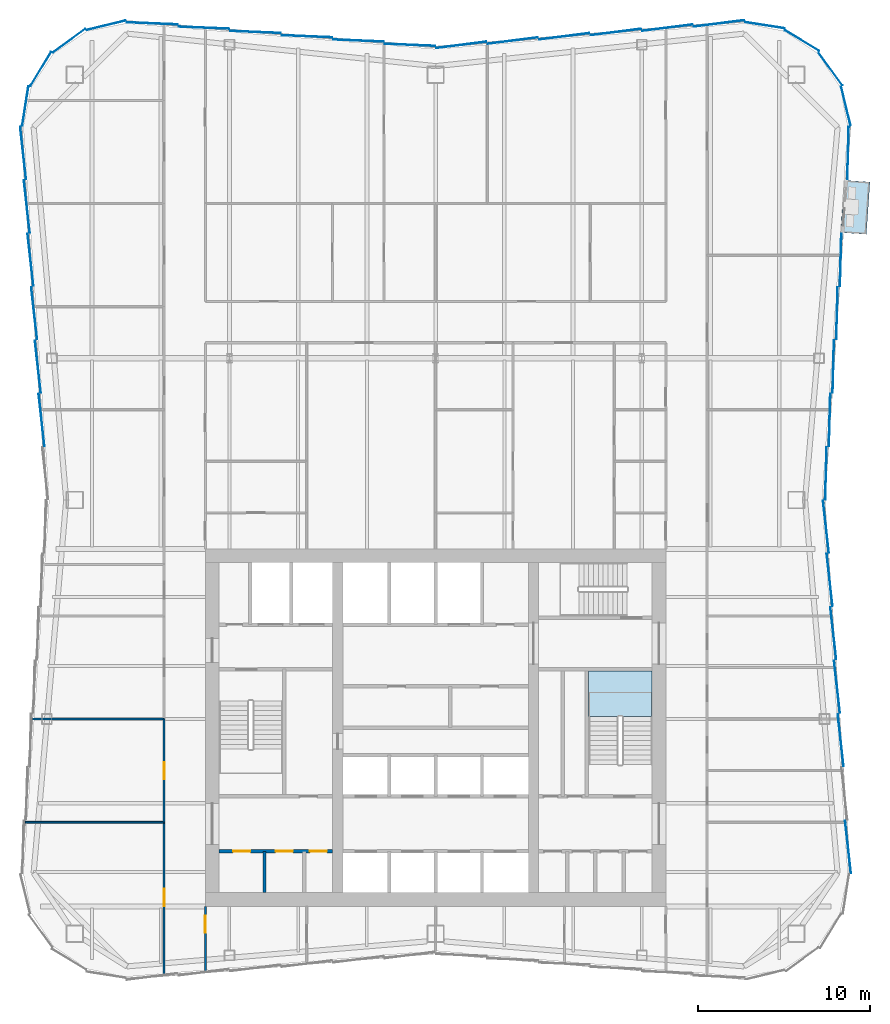
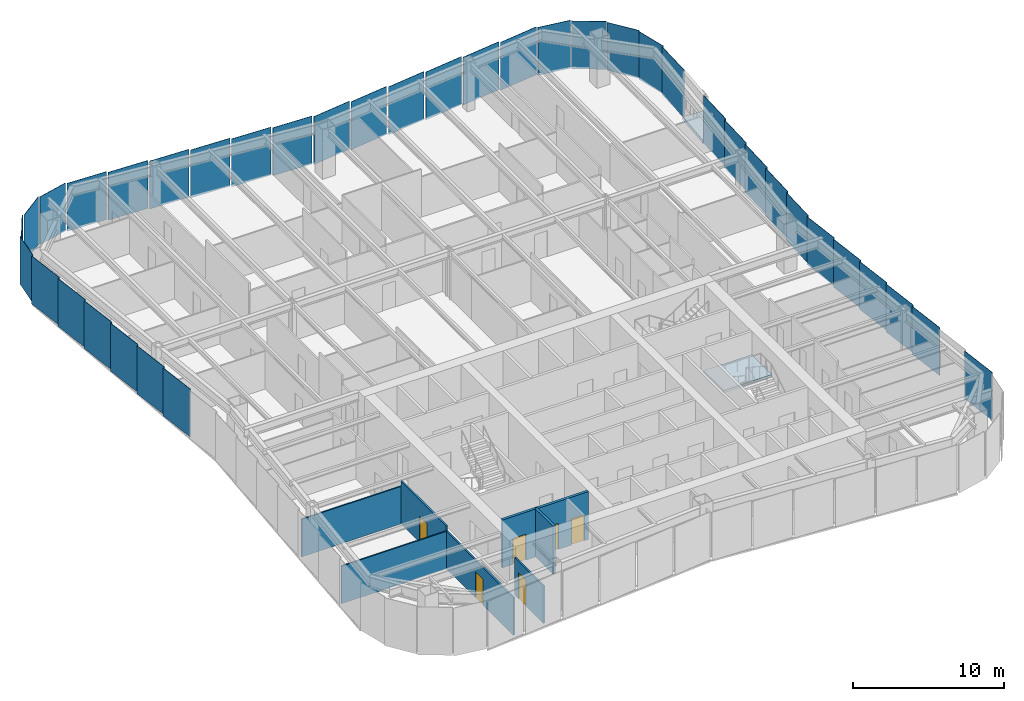
# One storey, part 5 of 12: 38 plates, 7 walls, 6 doors, 2 slabs, 6 openings, 6 elements without a shape of their own.
"""IFC4 building model written with IfcOpenShell, lengths in metres."""

from ifc_helpers import new_model, si_unit, direction, frame, frame_2d, origin, origin_2d, place, context, subcontext, project, spatial, polyline, rectangle, outline, extrude, material, layer, layer_set, type_object, element, fill, aggregate, save


model = new_model("IFC4")

# Units and contexts
model_context = context("Model", 3, precision=1e-05, world=origin(), true_north=direction((0.0, 1.0)))
body_context = subcontext(model_context, "Body", "Model", "MODEL_VIEW")
ifc_project = project(units=[si_unit("LENGTHUNIT", "METRE"), si_unit("AREAUNIT", "SQUARE_METRE"), si_unit("VOLUMEUNIT", "CUBIC_METRE"), si_unit("PLANEANGLEUNIT", "RADIAN"), si_unit("MASSUNIT", "GRAM", prefix="KILO")], contexts=[model_context])

# Site, building, storey
site_placement = place(None, origin())
site = spatial("IfcSite", under=ifc_project, at=site_placement, CompositionType="ELEMENT")
building_placement = place(site_placement, origin())
building = spatial("IfcBuilding", under=site, at=building_placement, Name="Verdant Reach Tower", CompositionType="ELEMENT")
storey_placement = place(building_placement, frame((0.0, 0.0, 266.0)))
storey = spatial("IfcBuildingStorey", under=building, at=storey_placement, Name="L61", CompositionType="ELEMENT", Elevation=266.0)

# Stair, slab
ifc_material_1 = material(Name="Concrete C40/50", Category="concrete")
stair_type = type_object("IfcStairType", Name="CO-STAIR", PredefinedType="HALF_TURN_STAIR", material=ifc_material_1)
stair_placement = place(storey_placement, origin())
stair = element("IfcStair", 1, at=stair_placement, inside=storey, type_object=stair_type, Name="L61 Exit stair 2", PredefinedType="HALF_TURN_STAIR")
ifc_layer_1 = layer(ifc_material_1, 0.199951171875)
ifc_layer_set_1 = layer_set([ifc_layer_1], Name="CO-STAIR-LANDING")
slab_type_1 = type_object("IfcSlabType", Name="CO-STAIR-LANDING", PredefinedType="LANDING", material=ifc_layer_set_1)
slab_1_placement = place(storey_placement, frame((0.0, 0.0, 1.800048828125)))
slab_1 = element("IfcSlab", 2, at=slab_1_placement, type_object=slab_type_1, Name="ST-2 landing 1", PredefinedType="LANDING", context=body_context, shape_type="SweptSolid", body=[
    extrude(outline(polyline([(12.60009765625, 28.64990234375), (12.60009765625, 31.300048828125), (8.89990234375, 31.300048828125), (8.89990234375, 28.64990234375), (12.60009765625, 28.64990234375)])), origin(), (0.0, 0.0, 1.0), 0.199951171875),
])
aggregate(stair, [slab_1])

# Slab
ifc_material_2 = material(Name="Concrete C35/45", Category="concrete")
ifc_layer_2 = layer(ifc_material_2, 0.25)
ifc_layer_set_2 = layer_set([ifc_layer_2], Name="EN-BALCONY SLAB")
slab_type_2 = type_object("IfcSlabType", Name="EN-BALCONY SLAB", PredefinedType="FLOOR", material=ifc_layer_set_2)
slab_2_placement = place(storey_placement, frame((0.0, 0.0, -0.25)))
element("IfcSlab", 3, at=slab_2_placement, inside=storey, type_object=slab_type_2, Name="Balcony slab 1, L61", PredefinedType="FLOOR", context=body_context, shape_type="SweptSolid", body=[
    extrude(outline(polyline([(23.57373046875, 56.819580078125), (23.783447265625, 59.85888671875), (25.27978515625, 59.755615234375), (25.0703125, 56.71630859375), (23.57373046875, 56.819580078125)])), origin(), (0.0, 0.0, 1.0), 0.25),
])

# Curtain wall, plates
ifc_material_3 = material(Name="Anodised aluminium", Category="aluminium")
curtain_wall_type = type_object("IfcCurtainWallType", Name="EN-CW SYSTEM Z4", PredefinedType="NOTDEFINED", material=ifc_material_3)
curtain_wall_1_placement = place(storey_placement, origin())
curtain_wall_1 = element("IfcCurtainWall", 4, at=curtain_wall_1_placement, inside=storey, type_object=curtain_wall_type, Name="Curtain wall east, L61", PredefinedType="NOTDEFINED")
ifc_material_4 = material(Name="Tinted glass with champagne spandrel", Category="glass")
ifc_layer_3 = layer(ifc_material_4, 0.031982421875)
ifc_layer_set_3 = layer_set([ifc_layer_3], Name="EN-PANEL CHAMPAGNE")
plate_type_1 = type_object("IfcPlateType", Name="EN-PANEL CHAMPAGNE", PredefinedType="CURTAIN_PANEL", material=ifc_layer_set_3)
plate_1_placement = place(storey_placement, frame((23.575927734375, 27.275634765625, -0.221923828125), z_axis=(0.0, 0.0, 1.0), x_axis=(-0.110518162674, 0.993874104562, 0.0)))
plate_1 = element("IfcPlate", 5, at=plate_1_placement, type_object=plate_type_1, Name="Glass panel east face part 1 3.1, L61", PredefinedType="CURTAIN_PANEL", context=body_context, shape_type="SweptSolid", body=[
    extrude(rectangle(XDim=3.050537109375, YDim=0.031982421875, at=origin_2d()), origin(), (0.0, 0.0, 1.0), 3.8720703125),
])
plate_2_placement = place(storey_placement, frame((23.1474609375, 49.01025390625, -0.221923828125), z_axis=(0.0, 0.0, 1.0), x_axis=(0.026965318308, 0.999636369691, 0.0)))
plate_2 = element("IfcPlate", 6, at=plate_2_placement, type_object=plate_type_1, Name="Glass panel east face part 2 3.1, L61", PredefinedType="CURTAIN_PANEL", context=body_context, shape_type="SweptSolid", body=[
    extrude(rectangle(XDim=3.050537109375, YDim=0.031982421875, at=origin_2d()), origin(), (0.0, 0.0, 1.0), 3.8720703125),
])
plate_3_placement = place(storey_placement, frame((23.36181640625, 52.1171875, -0.221923828125), z_axis=(0.0, 0.0, 1.0), x_axis=(0.026965318308, 0.999636369691, 0.0)))
plate_3 = element("IfcPlate", 7, at=plate_3_placement, type_object=plate_type_1, Name="Glass panel east face part 2 4.1, L61", PredefinedType="CURTAIN_PANEL", context=body_context, shape_type="SweptSolid", body=[
    extrude(rectangle(XDim=3.050537109375, YDim=0.031982421875, at=origin_2d()), origin(), (0.0, 0.0, 1.0), 3.8720703125),
])
plate_4_placement = place(storey_placement, frame((23.575927734375, 55.224365234375, -0.221923828125), z_axis=(0.0, 0.0, 1.0), x_axis=(0.026965318308, 0.999636369691, 0.0)))
plate_4 = element("IfcPlate", 8, at=plate_4_placement, type_object=plate_type_1, Name="Glass panel east face part 2 5.1, L61", PredefinedType="CURTAIN_PANEL", context=body_context, shape_type="SweptSolid", body=[
    extrude(rectangle(XDim=3.050537109375, YDim=0.031982421875, at=origin_2d()), origin(), (0.0, 0.0, 1.0), 3.8720703125),
])

curtain_wall_2_placement = place(storey_placement, origin())
curtain_wall_2 = element("IfcCurtainWall", 9, at=curtain_wall_2_placement, inside=storey, type_object=curtain_wall_type, Name="Curtain wall north-east corner, L61", PredefinedType="NOTDEFINED")
plate_5_placement = place(storey_placement, frame((22.984375, 66.330322265625, -0.221923828125), z_axis=(0.0, 0.0, 1.0), x_axis=(-0.589926737254, 0.80745677573, 0.0)))
plate_5 = element("IfcPlate", 10, at=plate_5_placement, type_object=plate_type_1, Name="Glass panel north-east corner 2.1, L61", PredefinedType="CURTAIN_PANEL", context=body_context, shape_type="SweptSolid", body=[
    extrude(rectangle(XDim=2.32080078125, YDim=0.031982421875, at=origin_2d()), origin(), (0.0, 0.0, 1.0), 3.8720703125),
])
plate_6_placement = place(storey_placement, frame((21.330322265625, 67.984375, -0.221923828125), z_axis=(0.0, 0.0, 1.0), x_axis=(-0.853988708265, 0.520291539577, 0.0)))
plate_6 = element("IfcPlate", 11, at=plate_6_placement, type_object=plate_type_1, Name="Glass panel north-east corner 3.1, L61", PredefinedType="CURTAIN_PANEL", context=body_context, shape_type="SweptSolid", body=[
    extrude(rectangle(XDim=2.32080078125, YDim=0.031982421875, at=origin_2d()), origin(), (0.0, 0.0, 1.0), 3.8720703125),
])

curtain_wall_3_placement = place(storey_placement, origin())
curtain_wall_3 = element("IfcCurtainWall", 12, at=curtain_wall_3_placement, inside=storey, type_object=curtain_wall_type, Name="Curtain wall north, L61", PredefinedType="NOTDEFINED")
plate_7_placement = place(storey_placement, frame((16.49853515625, 68.98681640625, -0.221923828125), z_axis=(0.0, 0.0, 1.0), x_axis=(-0.992238962139, -0.124345655383, 0.0)))
plate_7 = element("IfcPlate", 13, at=plate_7_placement, type_object=plate_type_1, Name="Glass panel north face part 1 1.1, L61", PredefinedType="CURTAIN_PANEL", context=body_context, shape_type="SweptSolid", body=[
    extrude(rectangle(XDim=2.9619140625, YDim=0.031982421875, at=origin_2d()), origin(), (0.0, 0.0, 1.0), 3.8720703125),
])
plate_8_placement = place(storey_placement, frame((13.49072265625, 68.736572265625, -0.221923828125), z_axis=(0.0, 0.0, 1.0), x_axis=(-0.992194034542, -0.124703639961, 0.0)))
plate_8 = element("IfcPlate", 14, at=plate_8_placement, type_object=plate_type_1, Name="Glass panel north face part 1 2.1, L61", PredefinedType="CURTAIN_PANEL", context=body_context, shape_type="SweptSolid", body=[
    extrude(rectangle(XDim=2.9462890625, YDim=0.031982421875, at=origin_2d()), origin(), (0.0, 0.0, 1.0), 3.8720703125),
])
plate_9_placement = place(storey_placement, frame((-4.49072265625, 67.986572265625, -0.221923828125), z_axis=(0.0, 0.0, 1.0), x_axis=(-0.999149202059, 0.041241629766, 0.0)))
plate_9 = element("IfcPlate", 15, at=plate_9_placement, type_object=plate_type_1, Name="Glass panel north face part 2 2.1, L61", PredefinedType="CURTAIN_PANEL", context=body_context, shape_type="SweptSolid", body=[
    extrude(rectangle(XDim=2.9462890625, YDim=0.031982421875, at=origin_2d()), origin(), (0.0, 0.0, 1.0), 3.8720703125),
])
plate_10_placement = place(storey_placement, frame((-7.49072265625, 68.236572265625, -0.221923828125), z_axis=(0.0, 0.0, 1.0), x_axis=(-0.999149202059, 0.041241629766, 0.0)))
plate_10 = element("IfcPlate", 16, at=plate_10_placement, type_object=plate_type_1, Name="Glass panel north face part 2 3.1, L61", PredefinedType="CURTAIN_PANEL", context=body_context, shape_type="SweptSolid", body=[
    extrude(rectangle(XDim=2.9462890625, YDim=0.031982421875, at=origin_2d()), origin(), (0.0, 0.0, 1.0), 3.8720703125),
])

curtain_wall_4_placement = place(storey_placement, origin())
curtain_wall_4 = element("IfcCurtainWall", 17, at=curtain_wall_4_placement, inside=storey, type_object=curtain_wall_type, Name="Curtain wall north-west corner, L61", PredefinedType="NOTDEFINED")
plate_11_placement = place(storey_placement, frame((-19.172607421875, 68.87939453125, -0.221923828125), z_axis=(0.0, 0.0, 1.0), x_axis=(-0.971652337104, -0.236414330786, 0.0)))
plate_11 = element("IfcPlate", 18, at=plate_11_placement, type_object=plate_type_1, Name="Glass panel north-west corner 1.1, L61", PredefinedType="CURTAIN_PANEL", context=body_context, shape_type="SweptSolid", body=[
    extrude(rectangle(XDim=2.314453125, YDim=0.031982421875, at=origin_2d()), origin(), (0.0, 0.0, 1.0), 3.8720703125),
])
plate_12_placement = place(storey_placement, frame((-21.330322265625, 67.984375, -0.221923828125), z_axis=(0.0, 0.0, 1.0), x_axis=(-0.80745677573, -0.589926737254, 0.0)))
plate_12 = element("IfcPlate", 19, at=plate_12_placement, type_object=plate_type_1, Name="Glass panel north-west corner 2.1, L61", PredefinedType="CURTAIN_PANEL", context=body_context, shape_type="SweptSolid", body=[
    extrude(rectangle(XDim=2.32080078125, YDim=0.031982421875, at=origin_2d()), origin(), (0.0, 0.0, 1.0), 3.8720703125),
])

# Curtain wall, plate
curtain_wall_5_placement = place(storey_placement, origin())
curtain_wall_5 = element("IfcCurtainWall", 20, at=curtain_wall_5_placement, inside=storey, type_object=curtain_wall_type, Name="Curtain wall west, L61", PredefinedType="NOTDEFINED")
plate_13_placement = place(storey_placement, frame((-22.93310546875, 45.903076171875, -0.221923828125), z_axis=(0.0, 0.0, 1.0), x_axis=(0.110518162674, -0.993874104562, 0.0)))
plate_13 = element("IfcPlate", 21, at=plate_13_placement, type_object=plate_type_1, Name="Glass panel west face part 1 6.1, L61", PredefinedType="CURTAIN_PANEL", context=body_context, shape_type="SweptSolid", body=[
    extrude(rectangle(XDim=3.050537109375, YDim=0.031982421875, at=origin_2d()), origin(), (0.0, 0.0, 1.0), 3.8720703125),
])

# Plate
ifc_material_5 = material(Name="Tinted glass with copper spandrel", Category="glass")
ifc_layer_4 = layer(ifc_material_5, 0.031982421875)
ifc_layer_set_4 = layer_set([ifc_layer_4], Name="EN-PANEL COPPER")
plate_type_2 = type_object("IfcPlateType", Name="EN-PANEL COPPER", PredefinedType="CURTAIN_PANEL", material=ifc_layer_set_4)
plate_14_placement = place(storey_placement, frame((23.36181640625, 30.3828125, -0.221923828125), z_axis=(0.0, 0.0, 1.0), x_axis=(-0.110518162674, 0.993874104562, 0.0)))
plate_14 = element("IfcPlate", 22, at=plate_14_placement, type_object=plate_type_2, Name="Glass panel east face part 1 4.1, L61", PredefinedType="CURTAIN_PANEL", context=body_context, shape_type="SweptSolid", body=[
    extrude(rectangle(XDim=3.050537109375, YDim=0.031982421875, at=origin_2d()), origin(), (0.0, 0.0, 1.0), 3.8720703125),
])

plate_15_placement = place(storey_placement, frame((23.1474609375, 33.48974609375, -0.221923828125), z_axis=(0.0, 0.0, 1.0), x_axis=(-0.110518162674, 0.993874104562, 0.0)))
plate_15 = element("IfcPlate", 23, at=plate_15_placement, type_object=plate_type_2, Name="Glass panel east face part 1 5.1, L61", PredefinedType="CURTAIN_PANEL", context=body_context, shape_type="SweptSolid", body=[
    extrude(rectangle(XDim=3.050537109375, YDim=0.031982421875, at=origin_2d()), origin(), (0.0, 0.0, 1.0), 3.8720703125),
])

plate_16_placement = place(storey_placement, frame((22.93310546875, 36.596923828125, -0.221923828125), z_axis=(0.0, 0.0, 1.0), x_axis=(-0.110518162674, 0.993874104562, 0.0)))
plate_16 = element("IfcPlate", 24, at=plate_16_placement, type_object=plate_type_2, Name="Glass panel east face part 1 6.1, L61", PredefinedType="CURTAIN_PANEL", context=body_context, shape_type="SweptSolid", body=[
    extrude(rectangle(XDim=3.050537109375, YDim=0.031982421875, at=origin_2d()), origin(), (0.0, 0.0, 1.0), 3.8720703125),
])

plate_17_placement = place(storey_placement, frame((24.004638671875, 61.446044921875, -0.221923828125), z_axis=(0.0, 0.0, 1.0), x_axis=(0.026651253217, 0.999644792265, 0.0)))
plate_17 = element("IfcPlate", 25, at=plate_17_placement, type_object=plate_type_2, Name="Glass panel east face part 2 7.1, L61", PredefinedType="CURTAIN_PANEL", context=body_context, shape_type="SweptSolid", body=[
    extrude(rectangle(XDim=3.0654296875, YDim=0.031982421875, at=origin_2d()), origin(), (0.0, 0.0, 1.0), 3.8720703125),
])

plate_18_placement = place(storey_placement, frame((19.172607421875, 68.87939453125, -0.221923828125), z_axis=(0.0, 0.0, 1.0), x_axis=(-0.98802725693, 0.154279420415, 0.0)))
plate_18 = element("IfcPlate", 26, at=plate_18_placement, type_object=plate_type_2, Name="Glass panel north-east corner 4.1, L61", PredefinedType="CURTAIN_PANEL", context=body_context, shape_type="SweptSolid", body=[
    extrude(rectangle(XDim=2.314453125, YDim=0.031982421875, at=origin_2d()), origin(), (0.0, 0.0, 1.0), 3.8720703125),
])

plate_19_placement = place(storey_placement, frame((10.49072265625, 68.486572265625, -0.221923828125), z_axis=(0.0, 0.0, 1.0), x_axis=(-0.992194034542, -0.124703639961, 0.0)))
plate_19 = element("IfcPlate", 27, at=plate_19_placement, type_object=plate_type_2, Name="Glass panel north face part 1 3.1, L61", PredefinedType="CURTAIN_PANEL", context=body_context, shape_type="SweptSolid", body=[
    extrude(rectangle(XDim=2.9462890625, YDim=0.031982421875, at=origin_2d()), origin(), (0.0, 0.0, 1.0), 3.8720703125),
])

plate_20_placement = place(storey_placement, frame((7.49072265625, 68.236572265625, -0.221923828125), z_axis=(0.0, 0.0, 1.0), x_axis=(-0.992194034542, -0.124703639961, 0.0)))
plate_20 = element("IfcPlate", 28, at=plate_20_placement, type_object=plate_type_2, Name="Glass panel north face part 1 4.1, L61", PredefinedType="CURTAIN_PANEL", context=body_context, shape_type="SweptSolid", body=[
    extrude(rectangle(XDim=2.9462890625, YDim=0.031982421875, at=origin_2d()), origin(), (0.0, 0.0, 1.0), 3.8720703125),
])

plate_21_placement = place(storey_placement, frame((-10.49072265625, 68.486572265625, -0.221923828125), z_axis=(0.0, 0.0, 1.0), x_axis=(-0.999149202059, 0.041241629766, 0.0)))
plate_21 = element("IfcPlate", 29, at=plate_21_placement, type_object=plate_type_2, Name="Glass panel north face part 2 4.1, L61", PredefinedType="CURTAIN_PANEL", context=body_context, shape_type="SweptSolid", body=[
    extrude(rectangle(XDim=2.9462890625, YDim=0.031982421875, at=origin_2d()), origin(), (0.0, 0.0, 1.0), 3.8720703125),
])

plate_22_placement = place(storey_placement, frame((-13.49072265625, 68.736572265625, -0.221923828125), z_axis=(0.0, 0.0, 1.0), x_axis=(-0.999149202059, 0.041241629766, 0.0)))
plate_22 = element("IfcPlate", 30, at=plate_22_placement, type_object=plate_type_2, Name="Glass panel north face part 2 5.1, L61", PredefinedType="CURTAIN_PANEL", context=body_context, shape_type="SweptSolid", body=[
    extrude(rectangle(XDim=2.9462890625, YDim=0.031982421875, at=origin_2d()), origin(), (0.0, 0.0, 1.0), 3.8720703125),
])

plate_23_placement = place(storey_placement, frame((-16.49853515625, 68.98681640625, -0.221923828125), z_axis=(0.0, 0.0, 1.0), x_axis=(-0.999164016711, 0.040881141246, 0.0)))
plate_23 = element("IfcPlate", 31, at=plate_23_placement, type_object=plate_type_2, Name="Glass panel north face part 2 6.1, L61", PredefinedType="CURTAIN_PANEL", context=body_context, shape_type="SweptSolid", body=[
    extrude(rectangle(XDim=2.9619140625, YDim=0.031982421875, at=origin_2d()), origin(), (0.0, 0.0, 1.0), 3.8720703125),
])

plate_24_placement = place(storey_placement, frame((-22.984375, 66.330322265625, -0.221923828125), z_axis=(0.0, 0.0, 1.0), x_axis=(-0.520291539577, -0.853988708265, 0.0)))
plate_24 = element("IfcPlate", 32, at=plate_24_placement, type_object=plate_type_2, Name="Glass panel north-west corner 3.1, L61", PredefinedType="CURTAIN_PANEL", context=body_context, shape_type="SweptSolid", body=[
    extrude(rectangle(XDim=2.32080078125, YDim=0.031982421875, at=origin_2d()), origin(), (0.0, 0.0, 1.0), 3.8720703125),
])

plate_25_placement = place(storey_placement, frame((-23.87939453125, 64.173095703125, -0.221923828125), z_axis=(0.0, 0.0, 1.0), x_axis=(-0.154324690427, -0.988020187003, 0.0)))
plate_25 = element("IfcPlate", 33, at=plate_25_placement, type_object=plate_type_2, Name="Glass panel north-west corner 4.1, L61", PredefinedType="CURTAIN_PANEL", context=body_context, shape_type="SweptSolid", body=[
    extrude(rectangle(XDim=2.313720703125, YDim=0.031982421875, at=origin_2d()), origin(), (0.0, 0.0, 1.0), 3.8720703125),
])

aggregate(curtain_wall_4, [plate_11, plate_12, plate_24, plate_25])

plate_26_placement = place(storey_placement, frame((-24.004638671875, 61.446044921875, -0.221923828125), z_axis=(0.0, 0.0, 1.0), x_axis=(0.110205903836, -0.993908777886, 0.0)))
plate_26 = element("IfcPlate", 34, at=plate_26_placement, type_object=plate_type_2, Name="Glass panel west face part 1 1.1, L61", PredefinedType="CURTAIN_PANEL", context=body_context, shape_type="SweptSolid", body=[
    extrude(rectangle(XDim=3.0654296875, YDim=0.031982421875, at=origin_2d()), origin(), (0.0, 0.0, 1.0), 3.8720703125),
])

plate_27_placement = place(storey_placement, frame((-23.790283203125, 58.33154296875, -0.221923828125), z_axis=(0.0, 0.0, 1.0), x_axis=(0.110518162674, -0.993874104562, 0.0)))
plate_27 = element("IfcPlate", 35, at=plate_27_placement, type_object=plate_type_2, Name="Glass panel west face part 1 2.1, L61", PredefinedType="CURTAIN_PANEL", context=body_context, shape_type="SweptSolid", body=[
    extrude(rectangle(XDim=3.050537109375, YDim=0.031982421875, at=origin_2d()), origin(), (0.0, 0.0, 1.0), 3.8720703125),
])

ifc_material_6 = material(Name="Tinted glass with dark bronze spandrel", Category="glass")
ifc_layer_5 = layer(ifc_material_6, 0.031982421875)
ifc_layer_set_5 = layer_set([ifc_layer_5], Name="EN-PANEL DARK")
plate_type_3 = type_object("IfcPlateType", Name="EN-PANEL DARK", PredefinedType="CURTAIN_PANEL", material=ifc_layer_set_5)
plate_28_placement = place(storey_placement, frame((24.004638671875, 21.053955078125, -0.221923828125), z_axis=(0.0, 0.0, 1.0), x_axis=(-0.110205903836, 0.993908777886, 0.0)))
plate_28 = element("IfcPlate", 36, at=plate_28_placement, type_object=plate_type_3, Name="Glass panel east face part 1 1.1, L61", PredefinedType="CURTAIN_PANEL", context=body_context, shape_type="SweptSolid", body=[
    extrude(rectangle(XDim=3.0654296875, YDim=0.031982421875, at=origin_2d()), origin(), (0.0, 0.0, 1.0), 3.8720703125),
])

plate_29_placement = place(storey_placement, frame((22.718994140625, 39.7001953125, -0.221923828125), z_axis=(0.0, 0.0, 1.0), x_axis=(-0.110603065042, 0.993864659802, 0.0)))
plate_29 = element("IfcPlate", 37, at=plate_29_placement, type_object=plate_type_3, Name="Glass panel east face part 1 7.1, L61", PredefinedType="CURTAIN_PANEL", context=body_context, shape_type="SweptSolid", body=[
    extrude(rectangle(XDim=3.042724609375, YDim=0.031982421875, at=origin_2d()), origin(), (0.0, 0.0, 1.0), 3.8720703125),
])

plate_30_placement = place(storey_placement, frame((22.718994140625, 42.7998046875, -0.221923828125), z_axis=(0.0, 0.0, 1.0), x_axis=(0.027050713229, 0.999634062502, 0.0)))
plate_30 = element("IfcPlate", 38, at=plate_30_placement, type_object=plate_type_3, Name="Glass panel east face part 2 1.1, L61", PredefinedType="CURTAIN_PANEL", context=body_context, shape_type="SweptSolid", body=[
    extrude(rectangle(XDim=3.042724609375, YDim=0.031982421875, at=origin_2d()), origin(), (0.0, 0.0, 1.0), 3.8720703125),
])

plate_31_placement = place(storey_placement, frame((22.93310546875, 45.903076171875, -0.221923828125), z_axis=(0.0, 0.0, 1.0), x_axis=(0.026965318308, 0.999636369691, 0.0)))
plate_31 = element("IfcPlate", 39, at=plate_31_placement, type_object=plate_type_3, Name="Glass panel east face part 2 2.1, L61", PredefinedType="CURTAIN_PANEL", context=body_context, shape_type="SweptSolid", body=[
    extrude(rectangle(XDim=3.050537109375, YDim=0.031982421875, at=origin_2d()), origin(), (0.0, 0.0, 1.0), 3.8720703125),
])

aggregate(curtain_wall_1, [plate_28, plate_1, plate_14, plate_15, plate_16, plate_29, plate_30, plate_31, plate_2, plate_3, plate_4, plate_17])

plate_32_placement = place(storey_placement, frame((23.87939453125, 64.173095703125, -0.221923828125), z_axis=(0.0, 0.0, 1.0), x_axis=(-0.236458850433, 0.971641503875, 0.0)))
plate_32 = element("IfcPlate", 40, at=plate_32_placement, type_object=plate_type_3, Name="Glass panel north-east corner 1.1, L61", PredefinedType="CURTAIN_PANEL", context=body_context, shape_type="SweptSolid", body=[
    extrude(rectangle(XDim=2.313720703125, YDim=0.031982421875, at=origin_2d()), origin(), (0.0, 0.0, 1.0), 3.8720703125),
])

aggregate(curtain_wall_2, [plate_32, plate_5, plate_6, plate_18])

plate_33_placement = place(storey_placement, frame((4.49072265625, 67.986572265625, -0.221923828125), z_axis=(0.0, 0.0, 1.0), x_axis=(-0.992194034542, -0.124703639961, 0.0)))
plate_33 = element("IfcPlate", 41, at=plate_33_placement, type_object=plate_type_3, Name="Glass panel north face part 1 5.1, L61", PredefinedType="CURTAIN_PANEL", context=body_context, shape_type="SweptSolid", body=[
    extrude(rectangle(XDim=2.9462890625, YDim=0.031982421875, at=origin_2d()), origin(), (0.0, 0.0, 1.0), 3.8720703125),
])

plate_34_placement = place(storey_placement, frame((1.495361328125, 67.73681640625, -0.221923828125), z_axis=(0.0, 0.0, 1.0), x_axis=(-0.992177950603, -0.124831543836, 0.0)))
plate_34 = element("IfcPlate", 42, at=plate_34_placement, type_object=plate_type_3, Name="Glass panel north face part 1 6.1, L61", PredefinedType="CURTAIN_PANEL", context=body_context, shape_type="SweptSolid", body=[
    extrude(rectangle(XDim=2.93701171875, YDim=0.031982421875, at=origin_2d()), origin(), (0.0, 0.0, 1.0), 3.8720703125),
])

plate_35_placement = place(storey_placement, frame((-1.495361328125, 67.73681640625, -0.221923828125), z_axis=(0.0, 0.0, 1.0), x_axis=(-0.999143877249, 0.041370430933, 0.0)))
plate_35 = element("IfcPlate", 43, at=plate_35_placement, type_object=plate_type_3, Name="Glass panel north face part 2 1.1, L61", PredefinedType="CURTAIN_PANEL", context=body_context, shape_type="SweptSolid", body=[
    extrude(rectangle(XDim=2.93701171875, YDim=0.031982421875, at=origin_2d()), origin(), (0.0, 0.0, 1.0), 3.8720703125),
])

aggregate(curtain_wall_3, [plate_7, plate_8, plate_19, plate_20, plate_33, plate_34, plate_35, plate_9, plate_10, plate_21, plate_22, plate_23])

plate_36_placement = place(storey_placement, frame((-23.575927734375, 55.224365234375, -0.221923828125), z_axis=(0.0, 0.0, 1.0), x_axis=(0.110518162674, -0.993874104562, 0.0)))
plate_36 = element("IfcPlate", 44, at=plate_36_placement, type_object=plate_type_3, Name="Glass panel west face part 1 3.1, L61", PredefinedType="CURTAIN_PANEL", context=body_context, shape_type="SweptSolid", body=[
    extrude(rectangle(XDim=3.050537109375, YDim=0.031982421875, at=origin_2d()), origin(), (0.0, 0.0, 1.0), 3.8720703125),
])

plate_37_placement = place(storey_placement, frame((-23.36181640625, 52.1171875, -0.221923828125), z_axis=(0.0, 0.0, 1.0), x_axis=(0.110518162674, -0.993874104562, 0.0)))
plate_37 = element("IfcPlate", 45, at=plate_37_placement, type_object=plate_type_3, Name="Glass panel west face part 1 4.1, L61", PredefinedType="CURTAIN_PANEL", context=body_context, shape_type="SweptSolid", body=[
    extrude(rectangle(XDim=3.050537109375, YDim=0.031982421875, at=origin_2d()), origin(), (0.0, 0.0, 1.0), 3.8720703125),
])

plate_38_placement = place(storey_placement, frame((-23.1474609375, 49.01025390625, -0.221923828125), z_axis=(0.0, 0.0, 1.0), x_axis=(0.110518162674, -0.993874104562, 0.0)))
plate_38 = element("IfcPlate", 46, at=plate_38_placement, type_object=plate_type_3, Name="Glass panel west face part 1 5.1, L61", PredefinedType="CURTAIN_PANEL", context=body_context, shape_type="SweptSolid", body=[
    extrude(rectangle(XDim=3.050537109375, YDim=0.031982421875, at=origin_2d()), origin(), (0.0, 0.0, 1.0), 3.8720703125),
])

aggregate(curtain_wall_5, [plate_26, plate_27, plate_36, plate_37, plate_38, plate_13])

# Wall, openings, doors
ifc_material_7 = material(Name="Gypsum board on steel studs", Category="steel")
ifc_layer_6 = layer(ifc_material_7, 0.199951171875)
ifc_layer_set_6 = layer_set([ifc_layer_6], Name="CO-WALL-ROOM")
wall_type_1 = type_object("IfcWallType", Name="CO-WALL-ROOM", PredefinedType="PARTITIONING", material=ifc_layer_set_6)
wall_1_placement = place(storey_placement, frame((-12.60009765625, 20.800048828125, 0.0), z_axis=(0.0, 0.0, 1.0), x_axis=(1.0, 0.0, 0.0)))
wall_1 = element("IfcWall", 47, at=wall_1_placement, inside=storey, type_object=wall_type_1, Name="Core partition, L61", PredefinedType="PARTITIONING", context=body_context, shape_type="SweptSolid", body=[
    extrude(rectangle(XDim=6.60009765625, YDim=0.199951171875, at=frame_2d((3.300048828125, 0.0))), origin(), (0.0, 0.0, 1.0), 3.8701171875),
])
opening_1_placement = place(wall_1_placement, frame((0.820068359375, 0.0, 0.0)))
opening_1 = element("IfcOpeningElement", 48, at=opening_1_placement, cuts=wall_1, Name="Opening CD", PredefinedType="OPENING", context=body_context, shape_type="SweptSolid", body=[
    extrude(rectangle(XDim=1.0, YDim=2.10009765625, at=frame_2d((0.5, 1.050048828125))), frame((0.0, 0.10986328125, 0.0), z_axis=(0.0, -1.0, 0.0), x_axis=(1.0, 0.0, 0.0)), (0.0, 0.0, 1.0), 0.219970703125),
])
opening_2_placement = place(wall_1_placement, frame((3.294921875, 0.0, 0.0)))
opening_2 = element("IfcOpeningElement", 49, at=opening_2_placement, cuts=wall_1, Name="Opening CD", PredefinedType="OPENING", context=body_context, shape_type="SweptSolid", body=[
    extrude(rectangle(XDim=1.0, YDim=2.10009765625, at=frame_2d((0.5, 1.050048828125))), frame((0.0, 0.10986328125, 0.0), z_axis=(0.0, -1.0, 0.0), x_axis=(1.0, 0.0, 0.0)), (0.0, 0.0, 1.0), 0.219970703125),
])
opening_3_placement = place(wall_1_placement, frame((5.27490234375, 0.0, 0.0)))
opening_3 = element("IfcOpeningElement", 50, at=opening_3_placement, cuts=wall_1, Name="Opening CD", PredefinedType="OPENING", context=body_context, shape_type="SweptSolid", body=[
    extrude(rectangle(XDim=1.0, YDim=2.10009765625, at=frame_2d((0.5, 1.050048828125))), frame((0.0, 0.10986328125, 0.0), z_axis=(0.0, -1.0, 0.0), x_axis=(1.0, 0.0, 0.0)), (0.0, 0.0, 1.0), 0.219970703125),
])
ifc_material_8 = material(Name="Timber", Category="wood")
door_type_1 = type_object("IfcDoorType", Name="CO-DOOR-ROOM", OperationType="NOTDEFINED", PredefinedType="DOOR", material=ifc_material_8)
door_1_placement = place(opening_1_placement, origin())
door_1 = element("IfcDoor", 51, at=door_1_placement, inside=storey, type_object=door_type_1, Name="Core room door, L61", OperationType="SINGLE_SWING_LEFT", OverallHeight=2.10009765625, OverallWidth=1.0, PredefinedType="DOOR", context=body_context, shape_type="SweptSolid", body=[
    extrude(rectangle(XDim=1.0, YDim=2.10009765625, at=frame_2d((0.5, 1.050048828125))), frame((0.0, 0.02490234375, 0.0), z_axis=(0.0, -1.0, 0.0), x_axis=(1.0, 0.0, 0.0)), (0.0, 0.0, 1.0), 0.050048828125),
])
fill(opening_1, door_1)
door_2_placement = place(opening_2_placement, origin())
door_2 = element("IfcDoor", 52, at=door_2_placement, inside=storey, type_object=door_type_1, Name="Core room door, L61", OperationType="SINGLE_SWING_LEFT", OverallHeight=2.10009765625, OverallWidth=1.0, PredefinedType="DOOR", context=body_context, shape_type="SweptSolid", body=[
    extrude(rectangle(XDim=1.0, YDim=2.10009765625, at=frame_2d((0.5, 1.050048828125))), frame((0.0, 0.02490234375, 0.0), z_axis=(0.0, -1.0, 0.0), x_axis=(1.0, 0.0, 0.0)), (0.0, 0.0, 1.0), 0.050048828125),
])
fill(opening_2, door_2)
door_3_placement = place(opening_3_placement, origin())
door_3 = element("IfcDoor", 53, at=door_3_placement, inside=storey, type_object=door_type_1, Name="Core room door, L61", OperationType="SINGLE_SWING_RIGHT", OverallHeight=2.10009765625, OverallWidth=1.0, PredefinedType="DOOR", context=body_context, shape_type="SweptSolid", body=[
    extrude(rectangle(XDim=1.0, YDim=2.10009765625, at=frame_2d((0.5, 1.050048828125))), frame((0.0, 0.02490234375, 0.0), z_axis=(0.0, -1.0, 0.0), x_axis=(1.0, 0.0, 0.0)), (0.0, 0.0, 1.0), 0.050048828125),
])
fill(opening_3, door_3)

# Walls
wall_2_placement = place(storey_placement, frame((-9.9599609375, 18.39990234375, 0.0), z_axis=(0.0, 0.0, 1.0), x_axis=(0.0, 1.0, 0.0)))
element("IfcWall", 54, at=wall_2_placement, inside=storey, type_object=wall_type_1, Name="Core partition, L61", PredefinedType="PARTITIONING", context=body_context, shape_type="SweptSolid", body=[
    extrude(rectangle(XDim=2.400146484375, YDim=0.199951171875, at=frame_2d((1.2001953125, 0.0))), origin(), (0.0, 0.0, 1.0), 3.8701171875),
])
ifc_layer_7 = layer(ifc_material_7, 0.10009765625)
ifc_layer_set_7 = layer_set([ifc_layer_7], Name="FL-W1 Partition 100")
wall_type_2 = type_object("IfcWallType", Name="FL-W1 Partition 100", PredefinedType="PARTITIONING", material=ifc_layer_set_7)
wall_3_placement = place(storey_placement, frame((-15.800048828125, 22.5, 0.0), z_axis=(0.0, 0.0, 1.0), x_axis=(-1.0, 0.0, 0.0)))
element("IfcWall", 55, at=wall_3_placement, inside=storey, type_object=wall_type_2, Name="Partition 61.41", PredefinedType="PARTITIONING", context=body_context, shape_type="SweptSolid", body=[
    extrude(rectangle(XDim=8.072998046875, YDim=0.10009765625, at=frame_2d((4.03662109375, 0.0))), origin(), (0.0, 0.0, 1.0), 3.0400390625),
])
wall_4_placement = place(storey_placement, frame((-15.800048828125, 28.5, 0.0), z_axis=(0.0, 0.0, 1.0), x_axis=(-1.0, 0.0, 0.0)))
element("IfcWall", 56, at=wall_4_placement, inside=storey, type_object=wall_type_2, Name="Partition 61.42", PredefinedType="PARTITIONING", context=body_context, shape_type="SweptSolid", body=[
    extrude(rectangle(XDim=7.6591796875, YDim=0.10009765625, at=frame_2d((3.82958984375, 0.0))), origin(), (0.0, 0.0, 1.0), 3.0400390625),
])

# Wall, opening, door
ifc_material_9 = material(Name="Gypsum board on steel studs, fire rated", Category="steel")
ifc_layer_8 = layer(ifc_material_9, 0.125)
ifc_layer_set_8 = layer_set([ifc_layer_8], Name="FL-W2 Corridor wall 125")
wall_type_3 = type_object("IfcWallType", Name="FL-W2 Corridor wall 125", PredefinedType="PARTITIONING", material=ifc_layer_set_8)
wall_5_placement = place(storey_placement, frame((-15.800048828125, 13.603271484375, 0.0), z_axis=(0.0, 0.0, 1.0), x_axis=(0.0, 1.0, 0.0)))
wall_5 = element("IfcWall", 57, at=wall_5_placement, inside=storey, type_object=wall_type_3, Name="Partition 61.01", PredefinedType="PARTITIONING", context=body_context, shape_type="SweptSolid", body=[
    extrude(rectangle(XDim=8.896728515625, YDim=0.125, at=frame_2d((4.4482421875, 0.0))), origin(), (0.0, 0.0, 1.0), 3.0400390625),
])
opening_4_placement = place(wall_5_placement, frame((4.013427734375, 0.0, 0.0)))
opening_4 = element("IfcOpeningElement", 58, at=opening_4_placement, cuts=wall_5, Name="Opening D2", PredefinedType="OPENING", context=body_context, shape_type="SweptSolid", body=[
    extrude(rectangle(XDim=1.0, YDim=2.10009765625, at=frame_2d((0.5, 1.050048828125))), frame((0.0, 0.072509765625, 0.0), z_axis=(0.0, -1.0, 0.0), x_axis=(1.0, 0.0, 0.0)), (0.0, 0.0, 1.0), 0.14501953125),
])
ifc_material_10 = material(Name="Timber door leaf, fire rated", Category="wood")
door_type_2 = type_object("IfcDoorType", Name="FL-D2 Entrance door 1000x2100 FD30", OperationType="NOTDEFINED", PredefinedType="DOOR", material=ifc_material_10)
door_4_placement = place(opening_4_placement, origin())
door_4 = element("IfcDoor", 59, at=door_4_placement, inside=storey, type_object=door_type_2, Name="Door 61-001", OperationType="SINGLE_SWING_RIGHT", OverallHeight=2.10009765625, OverallWidth=1.0, PredefinedType="DOOR", context=body_context, shape_type="SweptSolid", body=[
    extrude(rectangle(XDim=1.0, YDim=2.10009765625, at=frame_2d((0.5, 1.050048828125))), frame((0.0, 0.02490234375, 0.0), z_axis=(0.0, -1.0, 0.0), x_axis=(1.0, 0.0, 0.0)), (0.0, 0.0, 1.0), 0.050048828125),
])
fill(opening_4, door_4)

wall_6_placement = place(storey_placement, frame((-15.800048828125, 22.5, 0.0), z_axis=(0.0, 0.0, 1.0), x_axis=(0.0, 1.0, 0.0)))
wall_6 = element("IfcWall", 60, at=wall_6_placement, inside=storey, type_object=wall_type_3, Name="Partition 61.02", PredefinedType="PARTITIONING", context=body_context, shape_type="SweptSolid", body=[
    extrude(rectangle(XDim=6.0, YDim=0.125, at=frame_2d((3.0, 0.0))), origin(), (0.0, 0.0, 1.0), 3.43994140625),
])
opening_5_placement = place(wall_6_placement, frame((2.5, 0.0, 0.0)))
opening_5 = element("IfcOpeningElement", 61, at=opening_5_placement, cuts=wall_6, Name="Opening D2", PredefinedType="OPENING", context=body_context, shape_type="SweptSolid", body=[
    extrude(rectangle(XDim=1.0, YDim=2.10009765625, at=frame_2d((0.5, 1.050048828125))), frame((0.0, 0.072509765625, 0.0), z_axis=(0.0, -1.0, 0.0), x_axis=(1.0, 0.0, 0.0)), (0.0, 0.0, 1.0), 0.14501953125),
])
door_5_placement = place(opening_5_placement, origin())
door_5 = element("IfcDoor", 62, at=door_5_placement, inside=storey, type_object=door_type_2, Name="Door 61-002", OperationType="SINGLE_SWING_RIGHT", OverallHeight=2.10009765625, OverallWidth=1.0, PredefinedType="DOOR", context=body_context, shape_type="SweptSolid", body=[
    extrude(rectangle(XDim=1.0, YDim=2.10009765625, at=frame_2d((0.5, 1.050048828125))), frame((0.0, 0.02490234375, 0.0), z_axis=(0.0, -1.0, 0.0), x_axis=(1.0, 0.0, 0.0)), (0.0, 0.0, 1.0), 0.050048828125),
])
fill(opening_5, door_5)

wall_7_placement = place(storey_placement, frame((-13.39990234375, 17.60009765625, 0.0), z_axis=(0.0, 0.0, 1.0), x_axis=(0.0, -1.0, 0.0)))
wall_7 = element("IfcWall", 63, at=wall_7_placement, inside=storey, type_object=wall_type_3, Name="Partition 61.18", PredefinedType="PARTITIONING", context=body_context, shape_type="SweptSolid", body=[
    extrude(rectangle(XDim=3.796875, YDim=0.125, at=frame_2d((1.8984375, 0.0))), origin(), (0.0, 0.0, 1.0), 3.0400390625),
])
opening_6_placement = place(wall_7_placement, frame((0.533203125, 0.0, 0.0)))
opening_6 = element("IfcOpeningElement", 64, at=opening_6_placement, cuts=wall_7, Name="Opening D2", PredefinedType="OPENING", context=body_context, shape_type="SweptSolid", body=[
    extrude(rectangle(XDim=1.0, YDim=2.10009765625, at=frame_2d((0.5, 1.050048828125))), frame((0.0, 0.072509765625, 0.0), z_axis=(0.0, -1.0, 0.0), x_axis=(1.0, 0.0, 0.0)), (0.0, 0.0, 1.0), 0.14501953125),
])
door_6_placement = place(opening_6_placement, origin())
door_6 = element("IfcDoor", 65, at=door_6_placement, inside=storey, type_object=door_type_2, Name="Door 61-018", OperationType="SINGLE_SWING_LEFT", OverallHeight=2.10009765625, OverallWidth=1.0, PredefinedType="DOOR", context=body_context, shape_type="SweptSolid", body=[
    extrude(rectangle(XDim=1.0, YDim=2.10009765625, at=frame_2d((0.5, 1.050048828125))), frame((0.0, 0.02490234375, 0.0), z_axis=(0.0, -1.0, 0.0), x_axis=(1.0, 0.0, 0.0)), (0.0, 0.0, 1.0), 0.050048828125),
])
fill(opening_6, door_6)

save(model, "model.ifc")
